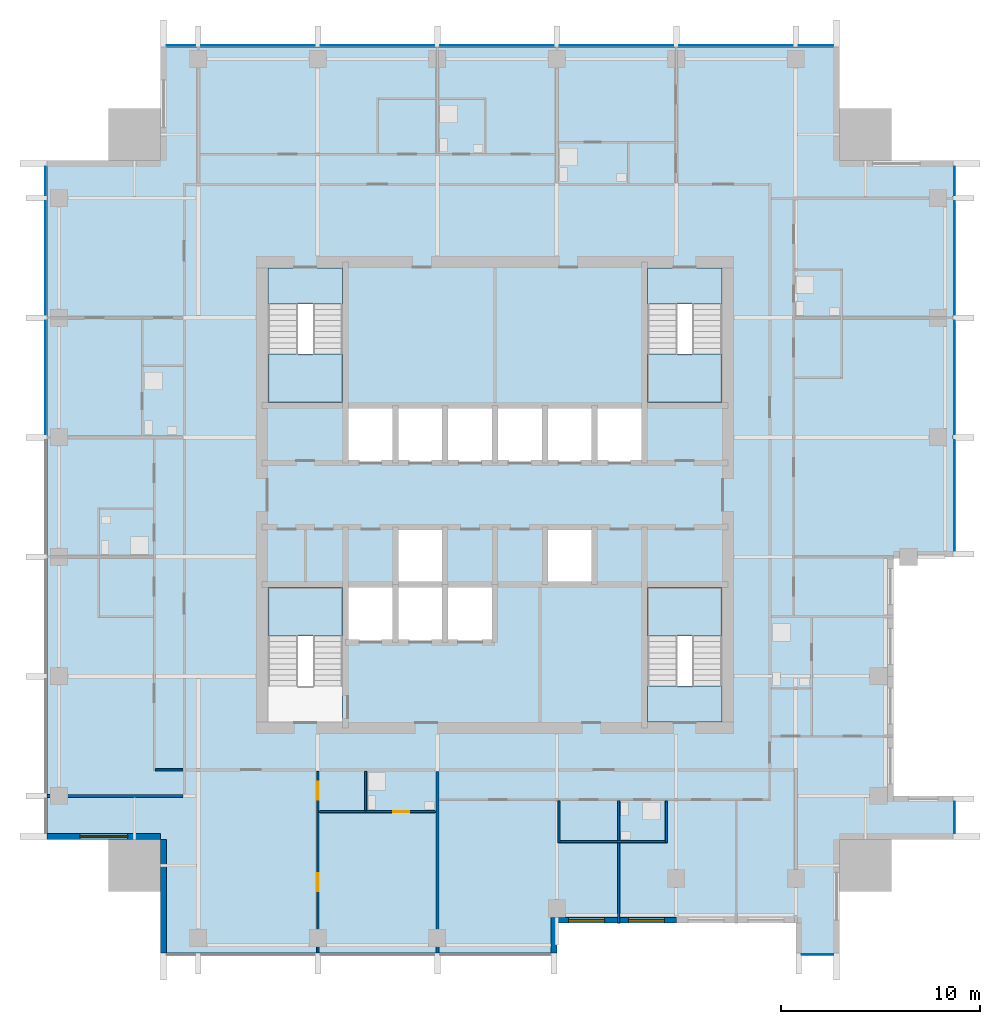
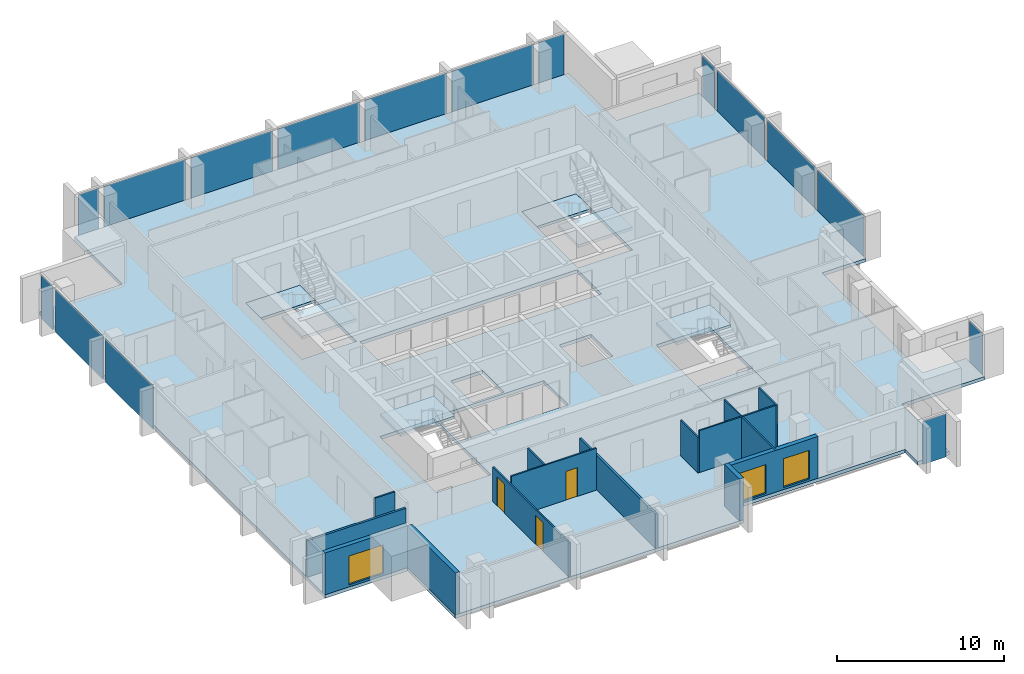
# One storey, part 3 of 10: 16 plates, 14 walls, 8 slabs, 3 doors, 3 windows, 6 openings, 9 elements without a shape of their own.
"""IFC4 building model written with IfcOpenShell, lengths in metres."""

from ifc_helpers import new_model, si_unit, direction, frame, frame_2d, origin, origin_2d, place, context, subcontext, project, spatial, polyline, rectangle, outline, extrude, material, layer, layer_set, type_object, element, fill, aggregate, save


model = new_model("IFC4")

# Units and contexts
model_context = context("Model", 3, precision=1e-05, world=origin(), true_north=direction((0.0, 1.0)))
body_context = subcontext(model_context, "Body", "Model", "MODEL_VIEW")
ifc_project = project(units=[si_unit("LENGTHUNIT", "METRE"), si_unit("AREAUNIT", "SQUARE_METRE"), si_unit("VOLUMEUNIT", "CUBIC_METRE"), si_unit("PLANEANGLEUNIT", "RADIAN"), si_unit("MASSUNIT", "GRAM", prefix="KILO")], contexts=[model_context])

# Site, building, storey
site_placement = place(None, origin())
site = spatial("IfcSite", under=ifc_project, at=site_placement, CompositionType="ELEMENT")
building_placement = place(site_placement, origin())
building = spatial("IfcBuilding", under=site, at=building_placement, Name="Amberfall Residences", CompositionType="ELEMENT")
storey_placement = place(building_placement, frame((0.0, 0.0, 213.39990234375)))
storey = spatial("IfcBuildingStorey", under=building, at=storey_placement, Name="L57", CompositionType="ELEMENT", Elevation=213.39990234375)

# Curtain wall, plate
ifc_material_1 = material(Name="Bronze anodised aluminium and glass", Category="aluminium")
curtain_wall_type = type_object("IfcCurtainWallType", Name="Curtain wall CW1 tower unit", PredefinedType="USERDEFINED", material=ifc_material_1)
curtain_wall_1_placement = place(storey_placement, origin())
curtain_wall_1 = element("IfcCurtainWall", 1, at=curtain_wall_1_placement, inside=storey, type_object=curtain_wall_type, Name="Curtain wall L57 S S6", ObjectType="UNITISED CURTAIN WALL", PredefinedType="USERDEFINED")
ifc_material_2 = material(Name="Tinted double glazed unit", Category="glass")
ifc_layer_1 = layer(ifc_material_2, 0.035888671875)
ifc_layer_set_1 = layer_set([ifc_layer_1], Name="CW1 panel 36 glazing")
plate_type = type_object("IfcPlateType", Name="CW1 panel 36 glazing", PredefinedType="CURTAIN_PANEL", material=ifc_layer_set_1)
plate_1_placement = place(storey_placement, frame((90.699951171875, 22.425048828125, -0.249755859375), z_axis=(0.0, 0.0, 1.0), x_axis=(1.0, 0.0, 0.0)))
plate_1 = element("IfcPlate", 2, at=plate_1_placement, type_object=plate_type, Name="CW1 panel 1.1", PredefinedType="CURTAIN_PANEL", context=body_context, shape_type="SweptSolid", body=[
    extrude(rectangle(XDim=1.575927734375, YDim=0.035888671875, at=origin_2d()), origin(), (0.0, 0.0, 1.0), 3.14990234375),
])
aggregate(curtain_wall_1, [plate_1])

curtain_wall_2_placement = place(storey_placement, origin())
curtain_wall_2 = element("IfcCurtainWall", 3, at=curtain_wall_2_placement, inside=storey, type_object=curtain_wall_type, Name="Curtain wall L57 E E1", ObjectType="UNITISED CURTAIN WALL", PredefinedType="USERDEFINED")
plate_2_placement = place(storey_placement, frame((97.574951171875, 29.300048828125, -0.249755859375), z_axis=(0.0, 0.0, 1.0), x_axis=(0.0, 1.0, 0.0)))
plate_2 = element("IfcPlate", 4, at=plate_2_placement, type_object=plate_type, Name="CW1 panel 1.1", PredefinedType="CURTAIN_PANEL", context=body_context, shape_type="SweptSolid", body=[
    extrude(rectangle(XDim=1.575927734375, YDim=0.035888671875, at=origin_2d()), origin(), (0.0, 0.0, 1.0), 3.14990234375),
])
aggregate(curtain_wall_2, [plate_2])

# Curtain wall, plates
curtain_wall_3_placement = place(storey_placement, origin())
curtain_wall_3 = element("IfcCurtainWall", 5, at=curtain_wall_3_placement, inside=storey, type_object=curtain_wall_type, Name="Curtain wall L57 E E6", ObjectType="UNITISED CURTAIN WALL", PredefinedType="USERDEFINED")
plate_3_placement = place(storey_placement, frame((97.574951171875, 45.47509765625, -0.249755859375), z_axis=(0.0, 0.0, 1.0), x_axis=(0.0, 1.0, 0.0)))
plate_3 = element("IfcPlate", 6, at=plate_3_placement, type_object=plate_type, Name="CW1 panel 1.1", PredefinedType="CURTAIN_PANEL", context=body_context, shape_type="SweptSolid", body=[
    extrude(rectangle(XDim=5.52587890625, YDim=0.035888671875, at=origin_2d()), origin(), (0.0, 0.0, 1.0), 3.14990234375),
])
plate_4_placement = place(storey_placement, frame((97.574951171875, 51.39990234375, -0.249755859375), z_axis=(0.0, 0.0, 1.0), x_axis=(0.0, 1.0, 0.0)))
plate_4 = element("IfcPlate", 7, at=plate_4_placement, type_object=plate_type, Name="CW1 panel 2.1", PredefinedType="CURTAIN_PANEL", context=body_context, shape_type="SweptSolid", body=[
    extrude(rectangle(XDim=5.676025390625, YDim=0.035888671875, at=origin_2d()), origin(), (0.0, 0.0, 1.0), 3.14990234375),
])
plate_5_placement = place(storey_placement, frame((97.574951171875, 57.39990234375, -0.249755859375), z_axis=(0.0, 0.0, 1.0), x_axis=(0.0, 1.0, 0.0)))
plate_5 = element("IfcPlate", 8, at=plate_5_placement, type_object=plate_type, Name="CW1 panel 3.1", PredefinedType="CURTAIN_PANEL", context=body_context, shape_type="SweptSolid", body=[
    extrude(rectangle(XDim=5.676025390625, YDim=0.035888671875, at=origin_2d()), origin(), (0.0, 0.0, 1.0), 3.14990234375),
])
plate_6_placement = place(storey_placement, frame((97.574951171875, 61.27490234375, -0.249755859375), z_axis=(0.0, 0.0, 1.0), x_axis=(0.0, 1.0, 0.0)))
plate_6 = element("IfcPlate", 9, at=plate_6_placement, type_object=plate_type, Name="CW1 panel 4.1", PredefinedType="CURTAIN_PANEL", context=body_context, shape_type="SweptSolid", body=[
    extrude(rectangle(XDim=1.426025390625, YDim=0.035888671875, at=origin_2d()), origin(), (0.0, 0.0, 1.0), 3.14990234375),
])
aggregate(curtain_wall_3, [plate_3, plate_4, plate_5, plate_6])

curtain_wall_4_placement = place(storey_placement, origin())
curtain_wall_4 = element("IfcCurtainWall", 10, at=curtain_wall_4_placement, inside=storey, type_object=curtain_wall_type, Name="Curtain wall L57 N N1", ObjectType="UNITISED CURTAIN WALL", PredefinedType="USERDEFINED")
plate_7_placement = place(storey_placement, frame((90.625, 68.074951171875, -0.249755859375), z_axis=(0.0, 0.0, 1.0), x_axis=(-1.0, 0.0, 0.0)))
plate_7 = element("IfcPlate", 11, at=plate_7_placement, type_object=plate_type, Name="CW1 panel 1.1", PredefinedType="CURTAIN_PANEL", context=body_context, shape_type="SweptSolid", body=[
    extrude(rectangle(XDim=1.72607421875, YDim=0.035888671875, at=origin_2d()), origin(), (0.0, 0.0, 1.0), 3.14990234375),
])
plate_8_placement = place(storey_placement, frame((86.60009765625, 68.074951171875, -0.249755859375), z_axis=(0.0, 0.0, 1.0), x_axis=(-1.0, 0.0, 0.0)))
plate_8 = element("IfcPlate", 12, at=plate_8_placement, type_object=plate_type, Name="CW1 panel 2.1", PredefinedType="CURTAIN_PANEL", context=body_context, shape_type="SweptSolid", body=[
    extrude(rectangle(XDim=5.676025390625, YDim=0.035888671875, at=origin_2d()), origin(), (0.0, 0.0, 1.0), 3.14990234375),
])
plate_9_placement = place(storey_placement, frame((80.60009765625, 68.074951171875, -0.249755859375), z_axis=(0.0, 0.0, 1.0), x_axis=(-1.0, 0.0, 0.0)))
plate_9 = element("IfcPlate", 13, at=plate_9_placement, type_object=plate_type, Name="CW1 panel 3.1", PredefinedType="CURTAIN_PANEL", context=body_context, shape_type="SweptSolid", body=[
    extrude(rectangle(XDim=5.676025390625, YDim=0.035888671875, at=origin_2d()), origin(), (0.0, 0.0, 1.0), 3.14990234375),
])
plate_10_placement = place(storey_placement, frame((74.60009765625, 68.074951171875, -0.249755859375), z_axis=(0.0, 0.0, 1.0), x_axis=(-1.0, 0.0, 0.0)))
plate_10 = element("IfcPlate", 14, at=plate_10_placement, type_object=plate_type, Name="CW1 panel 4.1", PredefinedType="CURTAIN_PANEL", context=body_context, shape_type="SweptSolid", body=[
    extrude(rectangle(XDim=5.676025390625, YDim=0.035888671875, at=origin_2d()), origin(), (0.0, 0.0, 1.0), 3.14990234375),
])
plate_11_placement = place(storey_placement, frame((68.60009765625, 68.074951171875, -0.249755859375), z_axis=(0.0, 0.0, 1.0), x_axis=(-1.0, 0.0, 0.0)))
plate_11 = element("IfcPlate", 15, at=plate_11_placement, type_object=plate_type, Name="CW1 panel 5.1", PredefinedType="CURTAIN_PANEL", context=body_context, shape_type="SweptSolid", body=[
    extrude(rectangle(XDim=5.676025390625, YDim=0.035888671875, at=origin_2d()), origin(), (0.0, 0.0, 1.0), 3.14990234375),
])
plate_12_placement = place(storey_placement, frame((62.60009765625, 68.074951171875, -0.249755859375), z_axis=(0.0, 0.0, 1.0), x_axis=(-1.0, 0.0, 0.0)))
plate_12 = element("IfcPlate", 16, at=plate_12_placement, type_object=plate_type, Name="CW1 panel 6.1", PredefinedType="CURTAIN_PANEL", context=body_context, shape_type="SweptSolid", body=[
    extrude(rectangle(XDim=5.676025390625, YDim=0.035888671875, at=origin_2d()), origin(), (0.0, 0.0, 1.0), 3.14990234375),
])
plate_13_placement = place(storey_placement, frame((58.72509765625, 68.074951171875, -0.249755859375), z_axis=(0.0, 0.0, 1.0), x_axis=(-1.0, 0.0, 0.0)))
plate_13 = element("IfcPlate", 17, at=plate_13_placement, type_object=plate_type, Name="CW1 panel 7.1", PredefinedType="CURTAIN_PANEL", context=body_context, shape_type="SweptSolid", body=[
    extrude(rectangle(XDim=1.426025390625, YDim=0.035888671875, at=origin_2d()), origin(), (0.0, 0.0, 1.0), 3.14990234375),
])
aggregate(curtain_wall_4, [plate_7, plate_8, plate_9, plate_10, plate_11, plate_12, plate_13])

curtain_wall_5_placement = place(storey_placement, origin())
curtain_wall_5 = element("IfcCurtainWall", 18, at=curtain_wall_5_placement, inside=storey, type_object=curtain_wall_type, Name="Curtain wall L57 W W1", ObjectType="UNITISED CURTAIN WALL", PredefinedType="USERDEFINED")
plate_14_placement = place(storey_placement, frame((51.925048828125, 61.27490234375, -0.249755859375), z_axis=(0.0, 0.0, 1.0), x_axis=(0.0, -1.0, 0.0)))
plate_14 = element("IfcPlate", 19, at=plate_14_placement, type_object=plate_type, Name="CW1 panel 1.1", PredefinedType="CURTAIN_PANEL", context=body_context, shape_type="SweptSolid", body=[
    extrude(rectangle(XDim=1.426025390625, YDim=0.035888671875, at=origin_2d()), origin(), (0.0, 0.0, 1.0), 3.14990234375),
])
plate_15_placement = place(storey_placement, frame((51.925048828125, 57.39990234375, -0.249755859375), z_axis=(0.0, 0.0, 1.0), x_axis=(0.0, -1.0, 0.0)))
plate_15 = element("IfcPlate", 20, at=plate_15_placement, type_object=plate_type, Name="CW1 panel 2.1", PredefinedType="CURTAIN_PANEL", context=body_context, shape_type="SweptSolid", body=[
    extrude(rectangle(XDim=5.676025390625, YDim=0.035888671875, at=origin_2d()), origin(), (0.0, 0.0, 1.0), 3.14990234375),
])
plate_16_placement = place(storey_placement, frame((51.925048828125, 51.39990234375, -0.249755859375), z_axis=(0.0, 0.0, 1.0), x_axis=(0.0, -1.0, 0.0)))
plate_16 = element("IfcPlate", 21, at=plate_16_placement, type_object=plate_type, Name="CW1 panel 3.1", PredefinedType="CURTAIN_PANEL", context=body_context, shape_type="SweptSolid", body=[
    extrude(rectangle(XDim=5.676025390625, YDim=0.035888671875, at=origin_2d()), origin(), (0.0, 0.0, 1.0), 3.14990234375),
])
aggregate(curtain_wall_5, [plate_14, plate_15, plate_16])

# Slab
ifc_material_3 = material(Name="Concrete C55", Category="concrete")
ifc_layer_2 = layer(ifc_material_3, 0.25)
ifc_layer_set_2 = layer_set([ifc_layer_2], Name="Floor slab 250 C55")
slab_type_1 = type_object("IfcSlabType", Name="Floor slab 250 C55", PredefinedType="FLOOR", material=ifc_layer_set_2)
slab_1_placement = place(storey_placement, frame((0.0, 0.0, -0.25)))
element("IfcSlab", 22, at=slab_1_placement, inside=storey, type_object=slab_type_1, Name="Floor slab S16 L57", PredefinedType="FLOOR", context=body_context, shape_type="SweptSolid", body=[
    extrude(outline(polyline([(89.60009765625, 22.5), (89.60009765625, 24.0), (83.60009765625, 24.0), (77.60009765625, 24.0), (77.60009765625, 22.5), (57.699951171875, 22.5), (57.699951171875, 28.199951171875), (52.0, 28.199951171875), (52.0, 62.300048828125), (57.699951171875, 62.300048828125), (57.699951171875, 68.0), (91.800048828125, 68.0), (91.800048828125, 62.300048828125), (97.5, 62.300048828125), (97.5, 42.39990234375), (94.5, 42.39990234375), (94.5, 36.39990234375), (94.5, 30.39990234375), (97.5, 30.39990234375), (97.5, 28.199951171875), (91.800048828125, 28.199951171875), (91.800048828125, 22.5), (89.60009765625, 22.5)]), holes=[polyline([(85.89990234375, 34.10009765625), (85.89990234375, 40.85009765625), (82.14990234375, 40.85009765625), (82.14990234375, 34.10009765625), (85.89990234375, 34.10009765625)]), polyline([(85.89990234375, 50.14990234375), (85.89990234375, 56.89990234375), (82.14990234375, 56.89990234375), (82.14990234375, 50.14990234375), (85.89990234375, 50.14990234375)]), polyline([(72.0, 50.0), (69.5, 50.0), (67.0, 50.0), (67.0, 47.10009765625), (69.5, 47.10009765625), (72.0, 47.10009765625), (74.5, 47.10009765625), (77.0, 47.10009765625), (79.5, 47.10009765625), (82.0, 47.10009765625), (82.0, 50.0), (79.5, 50.0), (77.0, 50.0), (74.5, 50.0), (72.0, 50.0)]), polyline([(79.35009765625, 41.14990234375), (79.35009765625, 43.75), (77.14990234375, 43.75), (77.14990234375, 41.14990234375), (79.35009765625, 41.14990234375)]), polyline([(69.5, 41.0), (67.0, 41.0), (67.0, 38.10009765625), (69.5, 38.10009765625), (72.0, 38.10009765625), (74.5, 38.10009765625), (74.5, 41.0), (72.0, 41.0), (69.5, 41.0)]), polyline([(71.85009765625, 41.14990234375), (71.85009765625, 43.75), (69.64990234375, 43.75), (69.64990234375, 41.14990234375), (71.85009765625, 41.14990234375)]), polyline([(66.85009765625, 50.14990234375), (66.85009765625, 56.89990234375), (63.10009765625, 56.89990234375), (63.10009765625, 50.14990234375), (66.85009765625, 50.14990234375)]), polyline([(66.85009765625, 40.85009765625), (63.10009765625, 40.85009765625), (63.10009765625, 34.10009765625), (66.85009765625, 34.10009765625), (66.85009765625, 40.85009765625)])]), origin(), (0.0, 0.0, 1.0), 0.25),
])

# Stair, slab
ifc_material_4 = material(Name="Concrete C40", Category="concrete")
stair_type = type_object("IfcStairType", Name="Exit stair 20 risers 165.0 mm", PredefinedType="HALF_TURN_STAIR", material=ifc_material_4)
stair_1_placement = place(storey_placement, origin())
stair_1 = element("IfcStair", 23, at=stair_1_placement, inside=storey, type_object=stair_type, Name="L57 Exit stair 1", PredefinedType="HALF_TURN_STAIR")
ifc_layer_3 = layer(ifc_material_4, 0.199951171875)
ifc_layer_set_3 = layer_set([ifc_layer_3], Name="Stair landing 200")
slab_type_2 = type_object("IfcSlabType", Name="Stair landing 200", PredefinedType="LANDING", material=ifc_layer_set_3)
slab_2_placement = place(storey_placement, frame((0.0, 0.0, 1.4501953125)))
slab_2 = element("IfcSlab", 24, at=slab_2_placement, type_object=slab_type_2, Name="ST3 landing 1", PredefinedType="LANDING", context=body_context, shape_type="SweptSolid", body=[
    extrude(outline(polyline([(66.85009765625, 38.419921875), (66.85009765625, 40.85009765625), (63.10009765625, 40.85009765625), (63.10009765625, 38.419921875), (66.85009765625, 38.419921875)])), origin(), (0.0, 0.0, 1.0), 0.199951171875),
])
aggregate(stair_1, [slab_2])

# Stair, slabs
stair_2_placement = place(storey_placement, origin())
stair_2 = element("IfcStair", 25, at=stair_2_placement, inside=storey, type_object=stair_type, Name="L57 Exit stair 2", PredefinedType="HALF_TURN_STAIR")
slab_3_placement = place(storey_placement, frame((0.0, 0.0, 1.4501953125)))
slab_3 = element("IfcSlab", 26, at=slab_3_placement, type_object=slab_type_2, Name="ST3 landing 1", PredefinedType="LANDING", context=body_context, shape_type="SweptSolid", body=[
    extrude(outline(polyline([(85.89990234375, 38.419921875), (85.89990234375, 40.85009765625), (82.14990234375, 40.85009765625), (82.14990234375, 38.419921875), (85.89990234375, 38.419921875)])), origin(), (0.0, 0.0, 1.0), 0.199951171875),
])
slab_4_placement = place(storey_placement, frame((0.0, 0.0, -0.199951171875)))
slab_4 = element("IfcSlab", 27, at=slab_4_placement, type_object=slab_type_2, Name="ST3 landing 2", PredefinedType="LANDING", context=body_context, shape_type="SweptSolid", body=[
    extrude(outline(polyline([(85.89990234375, 34.10009765625), (85.89990234375, 35.89990234375), (82.14990234375, 35.89990234375), (82.14990234375, 34.10009765625), (85.89990234375, 34.10009765625)])), origin(), (0.0, 0.0, 1.0), 0.199951171875),
])
aggregate(stair_2, [slab_3, slab_4])

stair_3_placement = place(storey_placement, origin())
stair_3 = element("IfcStair", 28, at=stair_3_placement, inside=storey, type_object=stair_type, Name="L57 Exit stair 3", PredefinedType="HALF_TURN_STAIR")
slab_5_placement = place(storey_placement, frame((0.0, 0.0, 1.4501953125)))
slab_5 = element("IfcSlab", 29, at=slab_5_placement, type_object=slab_type_2, Name="ST3 landing 1", PredefinedType="LANDING", context=body_context, shape_type="SweptSolid", body=[
    extrude(outline(polyline([(82.14990234375, 52.580078125), (82.14990234375, 50.14990234375), (85.89990234375, 50.14990234375), (85.89990234375, 52.580078125), (82.14990234375, 52.580078125)])), origin(), (0.0, 0.0, 1.0), 0.199951171875),
])
slab_6_placement = place(storey_placement, frame((0.0, 0.0, -0.199951171875)))
slab_6 = element("IfcSlab", 30, at=slab_6_placement, type_object=slab_type_2, Name="ST3 landing 2", PredefinedType="LANDING", context=body_context, shape_type="SweptSolid", body=[
    extrude(outline(polyline([(82.14990234375, 56.89990234375), (82.14990234375, 55.10009765625), (85.89990234375, 55.10009765625), (85.89990234375, 56.89990234375), (82.14990234375, 56.89990234375)])), origin(), (0.0, 0.0, 1.0), 0.199951171875),
])
aggregate(stair_3, [slab_5, slab_6])

stair_4_placement = place(storey_placement, origin())
stair_4 = element("IfcStair", 31, at=stair_4_placement, inside=storey, type_object=stair_type, Name="L57 Exit stair 4", PredefinedType="HALF_TURN_STAIR")
slab_7_placement = place(storey_placement, frame((0.0, 0.0, 1.4501953125)))
slab_7 = element("IfcSlab", 32, at=slab_7_placement, type_object=slab_type_2, Name="ST3 landing 1", PredefinedType="LANDING", context=body_context, shape_type="SweptSolid", body=[
    extrude(outline(polyline([(63.10009765625, 52.580078125), (63.10009765625, 50.14990234375), (66.85009765625, 50.14990234375), (66.85009765625, 52.580078125), (63.10009765625, 52.580078125)])), origin(), (0.0, 0.0, 1.0), 0.199951171875),
])
slab_8_placement = place(storey_placement, frame((0.0, 0.0, -0.199951171875)))
slab_8 = element("IfcSlab", 33, at=slab_8_placement, type_object=slab_type_2, Name="ST3 landing 2", PredefinedType="LANDING", context=body_context, shape_type="SweptSolid", body=[
    extrude(outline(polyline([(63.10009765625, 56.89990234375), (63.10009765625, 55.10009765625), (66.85009765625, 55.10009765625), (66.85009765625, 56.89990234375), (63.10009765625, 56.89990234375)])), origin(), (0.0, 0.0, 1.0), 0.199951171875),
])
aggregate(stair_4, [slab_7, slab_8])

# Wall
ifc_material_5 = material(Name="Pale stone cladding on insulated backing", Category="masonry")
ifc_layer_4 = layer(ifc_material_5, 0.300048828125)
ifc_layer_set_4 = layer_set([ifc_layer_4], Name="Bronze clad wall 300")
wall_type_1 = type_object("IfcWallType", Name="Bronze clad wall 300", PredefinedType="SOLIDWALL", material=ifc_layer_set_4)
wall_1_placement = place(storey_placement, frame((77.449951171875, 22.5, 0.0), z_axis=(0.0, 0.0, 1.0), x_axis=(0.0, 1.0, 0.0)))
element("IfcWall", 34, at=wall_1_placement, inside=storey, type_object=wall_type_1, Name="External wall L57 S", PredefinedType="SOLIDWALL", context=body_context, shape_type="SweptSolid", body=[
    extrude(rectangle(XDim=1.800048828125, YDim=0.300048828125, at=frame_2d((0.89990234375, 0.0))), origin(), (0.0, 0.0, 1.0), 3.050048828125),
])

# Wall, opening, window
wall_2_placement = place(storey_placement, frame((52.0, 28.35009765625, 0.0), z_axis=(0.0, 0.0, 1.0), x_axis=(1.0, 0.0, 0.0)))
wall_2 = element("IfcWall", 35, at=wall_2_placement, inside=storey, type_object=wall_type_1, Name="External wall L57 SW", PredefinedType="SOLIDWALL", context=body_context, shape_type="SweptSolid", body=[
    extrude(rectangle(XDim=5.699951171875, YDim=0.300048828125, at=frame_2d((2.85009765625, 0.0))), origin(), (0.0, 0.0, 1.0), 3.050048828125),
])
opening_1_placement = place(wall_2_placement, frame((1.64990234375, 0.0, 0.14990234375)))
opening_1 = element("IfcOpeningElement", 36, at=opening_1_placement, cuts=wall_2, Name="Opening WN5", PredefinedType="OPENING", context=body_context, shape_type="SweptSolid", body=[
    extrude(rectangle(XDim=2.39990234375, YDim=2.10009765625, at=frame_2d((1.199951171875, 1.050048828125))), frame((0.0, 0.159912109375, 0.0), z_axis=(0.0, -1.0, 0.0), x_axis=(1.0, 0.0, 0.0)), (0.0, 0.0, 1.0), 0.320068359375),
])
ifc_material_6 = material(Name="Bronze aluminium framed glazing", Category="aluminium")
window_type_1 = type_object("IfcWindowType", Name="Glazed opening 2400 x 2100 bronze", PartitioningType="DOUBLE_PANEL_VERTICAL", PredefinedType="WINDOW", material=ifc_material_6)
window_1_placement = place(opening_1_placement, origin())
window_1 = element("IfcWindow", 37, at=window_1_placement, inside=storey, type_object=window_type_1, Name="Window L57 SW", OverallHeight=2.10009765625, OverallWidth=2.39990234375, PartitioningType="DOUBLE_PANEL_VERTICAL", PredefinedType="WINDOW", context=body_context, shape_type="SweptSolid", body=[
    extrude(rectangle(XDim=2.39990234375, YDim=2.10009765625, at=frame_2d((1.199951171875, 1.050048828125))), frame((0.0, 0.030029296875, 0.0), z_axis=(0.0, -1.0, 0.0), x_axis=(1.0, 0.0, 0.0)), (0.0, 0.0, 1.0), 0.06005859375),
])
fill(opening_1, window_1)

# Wall
wall_3_placement = place(storey_placement, frame((57.85009765625, 28.199951171875, 0.0), z_axis=(0.0, 0.0, 1.0), x_axis=(0.0, -1.0, 0.0)))
element("IfcWall", 38, at=wall_3_placement, inside=storey, type_object=wall_type_1, Name="External wall L57 SW", PredefinedType="SOLIDWALL", context=body_context, shape_type="SweptSolid", body=[
    extrude(rectangle(XDim=5.699951171875, YDim=0.300048828125, at=frame_2d((2.85009765625, 0.0))), origin(), (0.0, 0.0, 1.0), 3.050048828125),
])

# Wall, openings, windows
wall_4_placement = place(storey_placement, frame((77.60009765625, 24.14990234375, 0.0), z_axis=(0.0, 0.0, 1.0), x_axis=(1.0, 0.0, 0.0)))
wall_4 = element("IfcWall", 39, at=wall_4_placement, inside=storey, type_object=wall_type_1, Name="Stone wall L57 S", PredefinedType="SOLIDWALL", context=body_context, shape_type="SweptSolid", body=[
    extrude(rectangle(XDim=6.0, YDim=0.300048828125, at=frame_2d((3.0, 0.0))), origin(), (0.0, 0.0, 1.0), 3.050048828125),
])
opening_2_placement = place(wall_4_placement, frame((0.60009765625, 0.0, 0.14990234375)))
opening_2 = element("IfcOpeningElement", 40, at=opening_2_placement, cuts=wall_4, Name="Opening WN6", PredefinedType="OPENING", context=body_context, shape_type="SweptSolid", body=[
    extrude(rectangle(XDim=1.800048828125, YDim=2.10009765625, at=frame_2d((0.89990234375, 1.050048828125))), frame((0.0, 0.159912109375, 0.0), z_axis=(0.0, -1.0, 0.0), x_axis=(1.0, 0.0, 0.0)), (0.0, 0.0, 1.0), 0.320068359375),
])
opening_3_placement = place(wall_4_placement, frame((3.60009765625, 0.0, 0.14990234375)))
opening_3 = element("IfcOpeningElement", 41, at=opening_3_placement, cuts=wall_4, Name="Opening WN6", PredefinedType="OPENING", context=body_context, shape_type="SweptSolid", body=[
    extrude(rectangle(XDim=1.800048828125, YDim=2.10009765625, at=frame_2d((0.89990234375, 1.050048828125))), frame((0.0, 0.159912109375, 0.0), z_axis=(0.0, -1.0, 0.0), x_axis=(1.0, 0.0, 0.0)), (0.0, 0.0, 1.0), 0.320068359375),
])
window_type_2 = type_object("IfcWindowType", Name="Glazed opening 1800 x 2100 bronze", PartitioningType="DOUBLE_PANEL_VERTICAL", PredefinedType="WINDOW", material=ifc_material_6)
window_2_placement = place(opening_2_placement, origin())
window_2 = element("IfcWindow", 42, at=window_2_placement, inside=storey, type_object=window_type_2, Name="Window L57 S", OverallHeight=2.10009765625, OverallWidth=1.800048828125, PartitioningType="DOUBLE_PANEL_VERTICAL", PredefinedType="WINDOW", context=body_context, shape_type="SweptSolid", body=[
    extrude(rectangle(XDim=1.800048828125, YDim=2.10009765625, at=frame_2d((0.89990234375, 1.050048828125))), frame((0.0, 0.030029296875, 0.0), z_axis=(0.0, -1.0, 0.0), x_axis=(1.0, 0.0, 0.0)), (0.0, 0.0, 1.0), 0.06005859375),
])
fill(opening_2, window_2)
window_3_placement = place(opening_3_placement, origin())
window_3 = element("IfcWindow", 43, at=window_3_placement, inside=storey, type_object=window_type_2, Name="Window L57 S", OverallHeight=2.10009765625, OverallWidth=1.800048828125, PartitioningType="DOUBLE_PANEL_VERTICAL", PredefinedType="WINDOW", context=body_context, shape_type="SweptSolid", body=[
    extrude(rectangle(XDim=1.800048828125, YDim=2.10009765625, at=frame_2d((0.89990234375, 1.050048828125))), frame((0.0, 0.030029296875, 0.0), z_axis=(0.0, -1.0, 0.0), x_axis=(1.0, 0.0, 0.0)), (0.0, 0.0, 1.0), 0.06005859375),
])
fill(opening_3, window_3)

# Wall, openings, doors
ifc_material_7 = material(Name="Gypsum board on metal stud")
ifc_layer_5 = layer(ifc_material_7, 0.10009765625)
ifc_layer_set_5 = layer_set([ifc_layer_5], Name="Flat partition 100")
wall_type_2 = type_object("IfcWallType", Name="Flat partition 100", PredefinedType="PARTITIONING", material=ifc_layer_set_5)
wall_5_placement = place(storey_placement, frame((65.60009765625, 31.625, 0.0), z_axis=(0.0, 0.0, 1.0), x_axis=(0.0, -1.0, 0.0)))
wall_5 = element("IfcWall", 44, at=wall_5_placement, inside=storey, type_object=wall_type_2, Name="Partition 004", PredefinedType="PARTITIONING", context=body_context, shape_type="SweptSolid", body=[
    extrude(rectangle(XDim=9.125, YDim=0.10009765625, at=frame_2d((4.5625, 0.0))), origin(), (0.0, 0.0, 1.0), 2.51611328125),
])
opening_4_placement = place(wall_5_placement, frame((0.52490234375, 0.0, 0.0)))
opening_4 = element("IfcOpeningElement", 45, at=opening_4_placement, cuts=wall_5, Name="Opening D41", PredefinedType="OPENING", context=body_context, shape_type="SweptSolid", body=[
    extrude(rectangle(XDim=0.89990234375, YDim=2.10009765625, at=frame_2d((0.449951171875, 1.050048828125))), frame((0.0, 0.06005859375, 0.0), z_axis=(0.0, -1.0, 0.0), x_axis=(1.0, 0.0, 0.0)), (0.0, 0.0, 1.0), 0.1201171875),
])
opening_5_placement = place(wall_5_placement, frame((5.125, 0.0, 0.0)))
opening_5 = element("IfcOpeningElement", 46, at=opening_5_placement, cuts=wall_5, Name="Opening D41", PredefinedType="OPENING", context=body_context, shape_type="SweptSolid", body=[
    extrude(rectangle(XDim=0.89990234375, YDim=2.10009765625, at=frame_2d((0.449951171875, 1.050048828125))), frame((0.0, 0.06005859375, 0.0), z_axis=(0.0, -1.0, 0.0), x_axis=(1.0, 0.0, 0.0)), (0.0, 0.0, 1.0), 0.1201171875),
])
ifc_material_8 = material(Name="Timber", Category="wood")
door_type_1 = type_object("IfcDoorType", Name="Internal door 900 x 2100", OperationType="SINGLE_SWING_LEFT", PredefinedType="DOOR", material=ifc_material_8)
door_1_placement = place(opening_4_placement, origin())
door_1 = element("IfcDoor", 47, at=door_1_placement, inside=storey, type_object=door_type_1, Name="Door 5701 kitchen", OperationType="SINGLE_SWING_LEFT", OverallHeight=2.10009765625, OverallWidth=0.89990234375, PredefinedType="DOOR", context=body_context, shape_type="SweptSolid", body=[
    extrude(rectangle(XDim=0.89990234375, YDim=2.10009765625, at=frame_2d((0.449951171875, 1.050048828125))), frame((0.0, 0.02490234375, 0.0), z_axis=(0.0, -1.0, 0.0), x_axis=(1.0, 0.0, 0.0)), (0.0, 0.0, 1.0), 0.050048828125),
])
fill(opening_4, door_1)
door_2_placement = place(opening_5_placement, origin())
door_2 = element("IfcDoor", 48, at=door_2_placement, inside=storey, type_object=door_type_1, Name="Door 5701 bedroom1", OperationType="SINGLE_SWING_LEFT", OverallHeight=2.10009765625, OverallWidth=0.89990234375, PredefinedType="DOOR", context=body_context, shape_type="SweptSolid", body=[
    extrude(rectangle(XDim=0.89990234375, YDim=2.10009765625, at=frame_2d((0.449951171875, 1.050048828125))), frame((0.0, 0.02490234375, 0.0), z_axis=(0.0, -1.0, 0.0), x_axis=(1.0, 0.0, 0.0)), (0.0, 0.0, 1.0), 0.050048828125),
])
fill(opening_5, door_2)

# Walls
wall_6_placement = place(storey_placement, frame((68.0, 29.64990234375, 0.0), z_axis=(0.0, 0.0, 1.0), x_axis=(0.0, 1.0, 0.0)))
element("IfcWall", 49, at=wall_6_placement, inside=storey, type_object=wall_type_2, Name="Partition 005", PredefinedType="PARTITIONING", context=body_context, shape_type="SweptSolid", body=[
    extrude(rectangle(XDim=1.97509765625, YDim=0.10009765625, at=frame_2d((0.987548828125, 0.0))), origin(), (0.0, 0.0, 1.0), 3.050048828125),
])
wall_7_placement = place(storey_placement, frame((77.699951171875, 28.050048828125, 0.0), z_axis=(0.0, 0.0, 1.0), x_axis=(0.0, 1.0, 0.0)))
element("IfcWall", 50, at=wall_7_placement, inside=storey, type_object=wall_type_2, Name="Partition 009", PredefinedType="PARTITIONING", context=body_context, shape_type="SweptSolid", body=[
    extrude(rectangle(XDim=2.099853515625, YDim=0.10009765625, at=frame_2d((1.0498046875, 0.0))), origin(), (0.0, 0.0, 1.0), 2.590087890625),
])
wall_8_placement = place(storey_placement, frame((80.699951171875, 24.0, 0.0), z_axis=(0.0, 0.0, 1.0), x_axis=(0.0, 1.0, 0.0)))
element("IfcWall", 51, at=wall_8_placement, inside=storey, type_object=wall_type_2, Name="Partition 010", PredefinedType="PARTITIONING", context=body_context, shape_type="SweptSolid", body=[
    extrude(rectangle(XDim=6.14990234375, YDim=0.10009765625, at=frame_2d((3.074951171875, 0.0))), origin(), (0.0, 0.0, 1.0), 3.050048828125),
])
wall_9_placement = place(storey_placement, frame((83.10009765625, 28.050048828125, 0.0), z_axis=(0.0, 0.0, 1.0), x_axis=(0.0, 1.0, 0.0)))
element("IfcWall", 52, at=wall_9_placement, inside=storey, type_object=wall_type_2, Name="Partition 012", PredefinedType="PARTITIONING", context=body_context, shape_type="SweptSolid", body=[
    extrude(rectangle(XDim=2.099853515625, YDim=0.10009765625, at=frame_2d((1.0498046875, 0.0))), origin(), (0.0, 0.0, 1.0), 3.050048828125),
])
wall_10_placement = place(storey_placement, frame((57.449951171875, 31.699951171875, 0.0), z_axis=(0.0, 0.0, 1.0), x_axis=(1.0, 0.0, 0.0)))
element("IfcWall", 53, at=wall_10_placement, inside=storey, type_object=wall_type_2, Name="Partition 033", PredefinedType="PARTITIONING", context=body_context, shape_type="SweptSolid", body=[
    extrude(rectangle(XDim=1.375, YDim=0.10009765625, at=frame_2d((0.6875, 0.0))), origin(), (0.0, 0.0, 1.0), 3.050048828125),
])

# Wall, opening, door
wall_11_placement = place(storey_placement, frame((65.64990234375, 29.60009765625, 0.0), z_axis=(0.0, 0.0, 1.0), x_axis=(1.0, 0.0, 0.0)))
wall_11 = element("IfcWall", 54, at=wall_11_placement, inside=storey, type_object=wall_type_2, Name="Partition 035", PredefinedType="PARTITIONING", context=body_context, shape_type="SweptSolid", body=[
    extrude(rectangle(XDim=5.875, YDim=0.10009765625, at=frame_2d((2.9375, 0.0))), origin(), (0.0, 0.0, 1.0), 3.050048828125),
])
opening_6_placement = place(wall_11_placement, frame((3.75, 0.0, 0.0)))
opening_6 = element("IfcOpeningElement", 55, at=opening_6_placement, cuts=wall_11, Name="Opening D42", PredefinedType="OPENING", context=body_context, shape_type="SweptSolid", body=[
    extrude(rectangle(XDim=0.800048828125, YDim=2.10009765625, at=frame_2d((0.39990234375, 1.050048828125))), frame((0.0, 0.06005859375, 0.0), z_axis=(0.0, -1.0, 0.0), x_axis=(1.0, 0.0, 0.0)), (0.0, 0.0, 1.0), 0.1201171875),
])
door_type_2 = type_object("IfcDoorType", Name="Bathroom door 800 x 2100", OperationType="SINGLE_SWING_LEFT", PredefinedType="DOOR", material=ifc_material_8)
door_3_placement = place(opening_6_placement, origin())
door_3 = element("IfcDoor", 56, at=door_3_placement, inside=storey, type_object=door_type_2, Name="Door 5701 bath1", OperationType="SINGLE_SWING_LEFT", OverallHeight=2.10009765625, OverallWidth=0.800048828125, PredefinedType="DOOR", context=body_context, shape_type="SweptSolid", body=[
    extrude(rectangle(XDim=0.800048828125, YDim=2.10009765625, at=frame_2d((0.39990234375, 1.050048828125))), frame((0.0, 0.02490234375, 0.0), z_axis=(0.0, -1.0, 0.0), x_axis=(1.0, 0.0, 0.0)), (0.0, 0.0, 1.0), 0.050048828125),
])
fill(opening_6, door_3)

# Walls
wall_12_placement = place(storey_placement, frame((77.75, 28.10009765625, 0.0), z_axis=(0.0, 0.0, 1.0), x_axis=(1.0, 0.0, 0.0)))
element("IfcWall", 57, at=wall_12_placement, inside=storey, type_object=wall_type_2, Name="Partition 036", PredefinedType="PARTITIONING", context=body_context, shape_type="SweptSolid", body=[
    extrude(rectangle(XDim=5.300048828125, YDim=0.10009765625, at=frame_2d((2.64990234375, 0.0))), origin(), (0.0, 0.0, 1.0), 3.050048828125),
])
ifc_material_9 = material(Name="Blockwork, plastered", Category="masonry")
ifc_layer_6 = layer(ifc_material_9, 0.14990234375)
ifc_layer_set_6 = layer_set([ifc_layer_6], Name="Flat separating wall 150")
wall_type_3 = type_object("IfcWallType", Name="Flat separating wall 150", PredefinedType="PARTITIONING", material=ifc_layer_set_6)
wall_13_placement = place(storey_placement, frame((71.60009765625, 22.5, 0.0), z_axis=(0.0, 0.0, 1.0), x_axis=(0.0, 1.0, 0.0)))
element("IfcWall", 58, at=wall_13_placement, inside=storey, type_object=wall_type_3, Name="Separating wall 039", PredefinedType="PARTITIONING", context=body_context, shape_type="SweptSolid", body=[
    extrude(rectangle(XDim=9.125, YDim=0.14990234375, at=frame_2d((4.5625, 0.0))), origin(), (0.0, 0.0, 1.0), 2.51611328125),
])
wall_14_placement = place(storey_placement, frame((52.0, 30.39990234375, 0.0), z_axis=(0.0, 0.0, 1.0), x_axis=(1.0, 0.0, 0.0)))
element("IfcWall", 59, at=wall_14_placement, inside=storey, type_object=wall_type_3, Name="Separating wall 048", PredefinedType="PARTITIONING", context=body_context, shape_type="SweptSolid", body=[
    extrude(rectangle(XDim=6.824951171875, YDim=0.14990234375, at=frame_2d((3.41259765625, 0.0))), origin(), (0.0, 0.0, 1.0), 2.647216796875),
])

save(model, "model.ifc")
